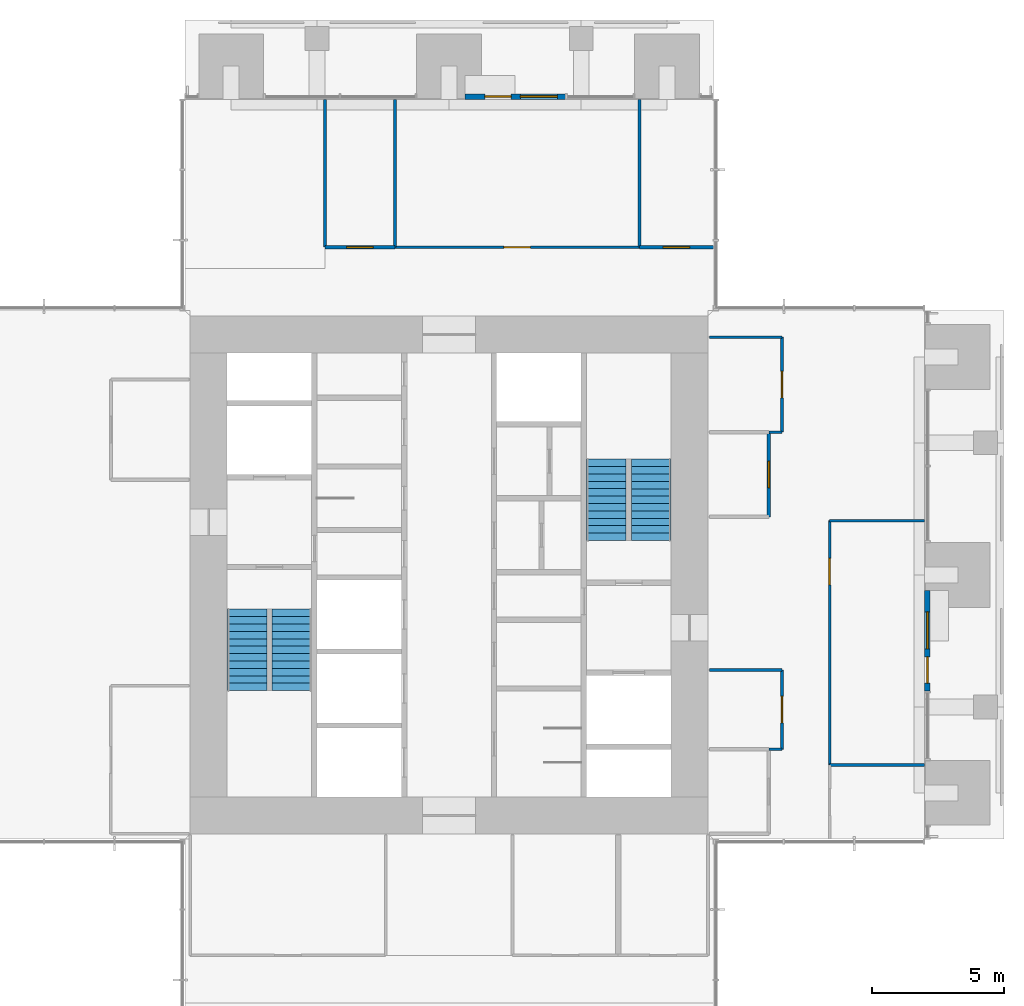
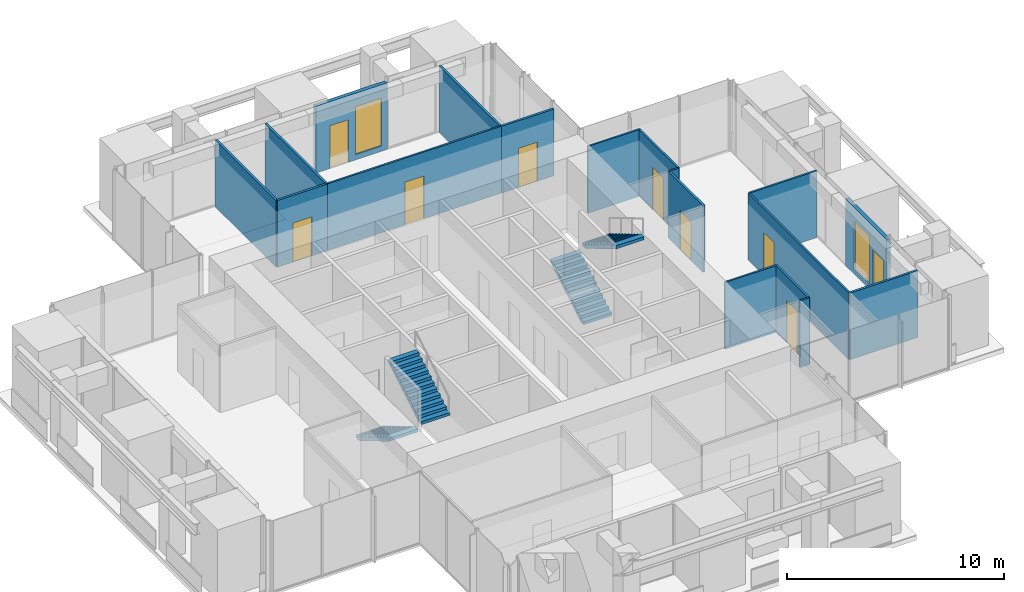
# One storey, part 14 of 17: 18 walls, 9 doors, 4 stair flights, 2 windows, 11 openings, 2 elements without a shape of their own.
"""IFC4 building model written with IfcOpenShell, lengths in metres."""

from ifc_helpers import new_model, si_unit, direction, frame, frame_2d, origin, place, context, subcontext, project, spatial, polyline, rectangle, outline, extrude, material, layer, layer_set, type_object, element, fill, aggregate, save


model = new_model("IFC4")

# Units and contexts
model_context = context("Model", 3, precision=1e-05, world=origin(), true_north=direction((0.0, 1.0)))
body_context = subcontext(model_context, "Body", "Model", "MODEL_VIEW")
ifc_project = project(units=[si_unit("LENGTHUNIT", "METRE"), si_unit("AREAUNIT", "SQUARE_METRE"), si_unit("VOLUMEUNIT", "CUBIC_METRE"), si_unit("PLANEANGLEUNIT", "RADIAN"), si_unit("MASSUNIT", "GRAM", prefix="KILO")], contexts=[model_context])

# Site, building, storey
site_placement = place(None, origin())
site = spatial("IfcSite", under=ifc_project, at=site_placement, CompositionType="ELEMENT")
building_placement = place(site_placement, origin())
building = spatial("IfcBuilding", under=site, at=building_placement, Name="Svetlomir Tower", CompositionType="ELEMENT")
storey_placement = place(building_placement, frame((0.0, 0.0, 226.5)))
storey = spatial("IfcBuildingStorey", under=building, at=storey_placement, Name="L54", CompositionType="ELEMENT", Elevation=226.5)

# Wall, openings, door, window
ifc_material_1 = material(Name="Bronze anodised aluminium glazed screen", Category="aluminium")
ifc_layer_1 = layer(ifc_material_1, 0.199951171875)
ifc_layer_set_1 = layer_set([ifc_layer_1], Name="Bronze anodised aluminium glazed screen")
wall_type_1 = type_object("IfcWallType", Name="BALCONY SCREEN WALL 200", PredefinedType="USERDEFINED", material=ifc_layer_set_1)
wall_1_placement = place(storey_placement, frame((39.10009765625, 16.60009765625, 0.0), z_axis=(0.0, 0.0, 1.0), x_axis=(0.0, 1.0, 0.0)))
wall_1 = element("IfcWall", 1, at=wall_1_placement, inside=storey, type_object=wall_type_1, Name="Balcony screen E", ObjectType="GLAZED SCREEN", PredefinedType="USERDEFINED", context=body_context, shape_type="SweptSolid", body=[
    extrude(rectangle(XDim=3.7998046875, YDim=0.199951171875, at=frame_2d((1.89990234375, 0.0))), origin(), (0.0, 0.0, 1.0), 3.75),
])
opening_1_placement = place(wall_1_placement, frame((0.300048828125, 0.0, 0.0)))
opening_1 = element("IfcOpeningElement", 2, at=opening_1_placement, cuts=wall_1, Name="Opening BD", PredefinedType="OPENING", context=body_context, shape_type="SweptSolid", body=[
    extrude(rectangle(XDim=1.0, YDim=2.39990234375, at=frame_2d((0.5, 1.199951171875))), frame((0.0, 0.10986328125, 0.0), z_axis=(0.0, -1.0, 0.0), x_axis=(1.0, 0.0, 0.0)), (0.0, 0.0, 1.0), 0.219970703125),
])
opening_2_placement = place(wall_1_placement, frame((1.60009765625, 0.0, 0.300048828125)))
opening_2 = element("IfcOpeningElement", 3, at=opening_2_placement, cuts=wall_1, Name="Opening WS2", PredefinedType="OPENING", context=body_context, shape_type="SweptSolid", body=[
    extrude(rectangle(XDim=1.39990234375, YDim=2.699951171875, at=frame_2d((0.699951171875, 1.35009765625))), frame((0.0, 0.10986328125, 0.0), z_axis=(0.0, -1.0, 0.0), x_axis=(1.0, 0.0, 0.0)), (0.0, 0.0, 1.0), 0.219970703125),
])
ifc_material_2 = material(Name="Bronze anodised aluminium glazed door", Category="aluminium")
door_type_1 = type_object("IfcDoorType", Name="BALCONY DOOR BD 1000x2400", OperationType="SINGLE_SWING_LEFT", PredefinedType="DOOR", material=ifc_material_2)
door_1_placement = place(opening_1_placement, origin())
door_1 = element("IfcDoor", 4, at=door_1_placement, inside=storey, type_object=door_type_1, Name="Balcony screen E door", OperationType="SINGLE_SWING_LEFT", OverallHeight=2.39990234375, OverallWidth=1.0, PredefinedType="DOOR", context=body_context, shape_type="SweptSolid", body=[
    extrude(rectangle(XDim=1.0, YDim=2.39990234375, at=frame_2d((0.5, 1.199951171875))), frame((0.0, 0.02490234375, 0.0), z_axis=(0.0, -1.0, 0.0), x_axis=(1.0, 0.0, 0.0)), (0.0, 0.0, 1.0), 0.050048828125),
])
fill(opening_1, door_1)
ifc_material_3 = material(Name="Bronze anodised aluminium window", Category="aluminium")
window_type = type_object("IfcWindowType", Name="SCREEN WINDOW WS2 1400x2700", PartitioningType="SINGLE_PANEL", PredefinedType="WINDOW", material=ifc_material_3)
window_1_placement = place(opening_2_placement, origin())
window_1 = element("IfcWindow", 5, at=window_1_placement, inside=storey, type_object=window_type, Name="Balcony screen E window 1", OverallHeight=2.699951171875, OverallWidth=1.39990234375, PartitioningType="SINGLE_PANEL", PredefinedType="WINDOW", context=body_context, shape_type="SweptSolid", body=[
    extrude(rectangle(XDim=1.39990234375, YDim=2.699951171875, at=frame_2d((0.699951171875, 1.35009765625))), frame((0.0, 0.030029296875, 0.0), z_axis=(0.0, -1.0, 0.0), x_axis=(1.0, 0.0, 0.0)), (0.0, 0.0, 1.0), 0.06005859375),
])
fill(opening_2, window_1)

wall_2_placement = place(storey_placement, frame((25.39990234375, 39.10009765625, 0.0), z_axis=(0.0, 0.0, 1.0), x_axis=(-1.0, 0.0, 0.0)))
wall_2 = element("IfcWall", 6, at=wall_2_placement, inside=storey, type_object=wall_type_1, Name="Balcony screen N", ObjectType="GLAZED SCREEN", PredefinedType="USERDEFINED", context=body_context, shape_type="SweptSolid", body=[
    extrude(rectangle(XDim=3.7998046875, YDim=0.199951171875, at=frame_2d((1.89990234375, 0.0))), origin(), (0.0, 0.0, 1.0), 3.75),
])
opening_3_placement = place(wall_2_placement, frame((2.050048828125, 0.0, 0.0)))
opening_3 = element("IfcOpeningElement", 7, at=opening_3_placement, cuts=wall_2, Name="Opening BD", PredefinedType="OPENING", context=body_context, shape_type="SweptSolid", body=[
    extrude(rectangle(XDim=1.0, YDim=2.39990234375, at=frame_2d((0.5, 1.199951171875))), frame((0.0, 0.10986328125, 0.0), z_axis=(0.0, -1.0, 0.0), x_axis=(1.0, 0.0, 0.0)), (0.0, 0.0, 1.0), 0.219970703125),
])
opening_4_placement = place(wall_2_placement, frame((0.300048828125, 0.0, 0.300048828125)))
opening_4 = element("IfcOpeningElement", 8, at=opening_4_placement, cuts=wall_2, Name="Opening WS2", PredefinedType="OPENING", context=body_context, shape_type="SweptSolid", body=[
    extrude(rectangle(XDim=1.39990234375, YDim=2.699951171875, at=frame_2d((0.699951171875, 1.35009765625))), frame((0.0, 0.10986328125, 0.0), z_axis=(0.0, -1.0, 0.0), x_axis=(1.0, 0.0, 0.0)), (0.0, 0.0, 1.0), 0.219970703125),
])
door_2_placement = place(opening_3_placement, origin())
door_2 = element("IfcDoor", 9, at=door_2_placement, inside=storey, type_object=door_type_1, Name="Balcony screen N door", OperationType="SINGLE_SWING_LEFT", OverallHeight=2.39990234375, OverallWidth=1.0, PredefinedType="DOOR", context=body_context, shape_type="SweptSolid", body=[
    extrude(rectangle(XDim=1.0, YDim=2.39990234375, at=frame_2d((0.5, 1.199951171875))), frame((0.0, 0.02490234375, 0.0), z_axis=(0.0, -1.0, 0.0), x_axis=(1.0, 0.0, 0.0)), (0.0, 0.0, 1.0), 0.050048828125),
])
fill(opening_3, door_2)
window_2_placement = place(opening_4_placement, origin())
window_2 = element("IfcWindow", 10, at=window_2_placement, inside=storey, type_object=window_type, Name="Balcony screen N window 1", OverallHeight=2.699951171875, OverallWidth=1.39990234375, PartitioningType="SINGLE_PANEL", PredefinedType="WINDOW", context=body_context, shape_type="SweptSolid", body=[
    extrude(rectangle(XDim=1.39990234375, YDim=2.699951171875, at=frame_2d((0.699951171875, 1.35009765625))), frame((0.0, 0.030029296875, 0.0), z_axis=(0.0, -1.0, 0.0), x_axis=(1.0, 0.0, 0.0)), (0.0, 0.0, 1.0), 0.06005859375),
])
fill(opening_4, window_2)

# Wall, opening, door
ifc_material_4 = material(Name="Framed laminated glass partition", Category="glass")
ifc_layer_2 = layer(ifc_material_4, 0.10009765625)
ifc_layer_set_2 = layer_set([ifc_layer_2], Name="Framed laminated glass partition")
wall_type_2 = type_object("IfcWallType", Name="GLAZED PARTITION 100", PredefinedType="PARTITIONING", material=ifc_layer_set_2)
wall_3_placement = place(storey_placement, frame((18.949951171875, 33.39990234375, 0.0), z_axis=(0.0, 0.0, 1.0), x_axis=(1.0, 0.0, 0.0)))
wall_3 = element("IfcWall", 11, at=wall_3_placement, inside=storey, type_object=wall_type_2, Name="Glazed partition L54", PredefinedType="PARTITIONING", context=body_context, shape_type="SweptSolid", body=[
    extrude(rectangle(XDim=9.25, YDim=0.10009765625, at=frame_2d((4.625, 0.0))), origin(), (0.0, 0.0, 1.0), 3.75),
])
opening_5_placement = place(wall_3_placement, frame((4.125, 0.0, 0.0)))
opening_5 = element("IfcOpeningElement", 12, at=opening_5_placement, cuts=wall_3, Name="Opening DG", PredefinedType="OPENING", context=body_context, shape_type="SweptSolid", body=[
    extrude(rectangle(XDim=1.0, YDim=2.39990234375, at=frame_2d((0.5, 1.199951171875))), frame((0.0, 0.06005859375, 0.0), z_axis=(0.0, -1.0, 0.0), x_axis=(1.0, 0.0, 0.0)), (0.0, 0.0, 1.0), 0.1201171875),
])
ifc_material_5 = material(Name="Framed laminated glass door", Category="glass")
door_type_2 = type_object("IfcDoorType", Name="GLAZED DOOR DG 1000x2400", OperationType="SINGLE_SWING_LEFT", PredefinedType="DOOR", material=ifc_material_5)
door_3_placement = place(opening_5_placement, origin())
door_3 = element("IfcDoor", 13, at=door_3_placement, inside=storey, type_object=door_type_2, Name="Secretariat team room door L54", OperationType="SINGLE_SWING_RIGHT", OverallHeight=2.39990234375, OverallWidth=1.0, PredefinedType="DOOR", context=body_context, shape_type="SweptSolid", body=[
    extrude(rectangle(XDim=1.0, YDim=2.39990234375, at=frame_2d((0.5, 1.199951171875))), frame((0.0, 0.02490234375, 0.0), z_axis=(0.0, -1.0, 0.0), x_axis=(1.0, 0.0, 0.0)), (0.0, 0.0, 1.0), 0.050048828125),
])
fill(opening_5, door_3)

# Walls
for number, where, z_axis, x_axis, name in (
    (14, (30.85009765625, 17.39990234375, 0.0), (0.0, 0.0, 1.0), (1.0, 0.0, 0.0), "Glazed partition L54"),
    (15, (30.85009765625, 30.0, 0.0), (0.0, 0.0, 1.0), (1.0, 0.0, 0.0), "Glazed partition L54"),
):
    element("IfcWall", number, at=place(storey_placement, frame(where, z_axis=z_axis, x_axis=x_axis)), inside=storey, type_object=wall_type_2, Name=name, PredefinedType="PARTITIONING", context=body_context, shape_type="SweptSolid", body=[
        extrude(rectangle(XDim=2.75, YDim=0.10009765625, at=frame_2d((1.375, 0.0))), origin(), (0.0, 0.0, 1.0), 3.75),
    ])
for number, where, z_axis, x_axis, name in (
    (16, (33.10009765625, 14.39990234375, 0.0), (0.0, 0.0, 1.0), (1.0, 0.0, 0.0), "Glazed partition L54"),
    (17, (33.10009765625, 26.39990234375, 0.0), (0.0, 0.0, 1.0), (1.0, 0.0, 0.0), "Glazed partition L54"),
):
    element("IfcWall", number, at=place(storey_placement, frame(where, z_axis=z_axis, x_axis=x_axis)), inside=storey, type_object=wall_type_2, Name=name, PredefinedType="PARTITIONING", context=body_context, shape_type="SweptSolid", body=[
        extrude(rectangle(XDim=0.5, YDim=0.10009765625, at=frame_2d((0.25, 0.0))), origin(), (0.0, 0.0, 1.0), 3.75),
    ])

# Wall, opening, door
wall_4_placement = place(storey_placement, frame((33.60009765625, 14.39990234375, 0.0), z_axis=(0.0, 0.0, 1.0), x_axis=(0.0, 1.0, 0.0)))
wall_4 = element("IfcWall", 18, at=wall_4_placement, inside=storey, type_object=wall_type_2, Name="Glazed partition L54", PredefinedType="PARTITIONING", context=body_context, shape_type="SweptSolid", body=[
    extrude(rectangle(XDim=3.0, YDim=0.10009765625, at=frame_2d((1.5, 0.0))), origin(), (0.0, 0.0, 1.0), 3.75),
])
opening_6_placement = place(wall_4_placement, frame((1.0, 0.0, 0.0)))
opening_6 = element("IfcOpeningElement", 19, at=opening_6_placement, cuts=wall_4, Name="Opening DG", PredefinedType="OPENING", context=body_context, shape_type="SweptSolid", body=[
    extrude(rectangle(XDim=1.0, YDim=2.39990234375, at=frame_2d((0.5, 1.199951171875))), frame((0.0, 0.06005859375, 0.0), z_axis=(0.0, -1.0, 0.0), x_axis=(1.0, 0.0, 0.0)), (0.0, 0.0, 1.0), 0.1201171875),
])
door_4_placement = place(opening_6_placement, origin())
door_4 = element("IfcDoor", 20, at=door_4_placement, inside=storey, type_object=door_type_2, Name="Phone room door L54", OperationType="SINGLE_SWING_RIGHT", OverallHeight=2.39990234375, OverallWidth=1.0, PredefinedType="DOOR", context=body_context, shape_type="SweptSolid", body=[
    extrude(rectangle(XDim=1.0, YDim=2.39990234375, at=frame_2d((0.5, 1.199951171875))), frame((0.0, 0.02490234375, 0.0), z_axis=(0.0, -1.0, 0.0), x_axis=(1.0, 0.0, 0.0)), (0.0, 0.0, 1.0), 0.050048828125),
])
fill(opening_6, door_4)

wall_5_placement = place(storey_placement, frame((33.60009765625, 26.39990234375, 0.0), z_axis=(0.0, 0.0, 1.0), x_axis=(0.0, 1.0, 0.0)))
wall_5 = element("IfcWall", 21, at=wall_5_placement, inside=storey, type_object=wall_type_2, Name="Glazed partition L54", PredefinedType="PARTITIONING", context=body_context, shape_type="SweptSolid", body=[
    extrude(rectangle(XDim=3.60009765625, YDim=0.10009765625, at=frame_2d((1.800048828125, 0.0))), origin(), (0.0, 0.0, 1.0), 3.75),
])
opening_7_placement = place(wall_5_placement, frame((1.300048828125, 0.0, 0.0)))
opening_7 = element("IfcOpeningElement", 22, at=opening_7_placement, cuts=wall_5, Name="Opening DG", PredefinedType="OPENING", context=body_context, shape_type="SweptSolid", body=[
    extrude(rectangle(XDim=1.0, YDim=2.39990234375, at=frame_2d((0.5, 1.199951171875))), frame((0.0, 0.06005859375, 0.0), z_axis=(0.0, -1.0, 0.0), x_axis=(1.0, 0.0, 0.0)), (0.0, 0.0, 1.0), 0.1201171875),
])
door_5_placement = place(opening_7_placement, origin())
door_5 = element("IfcDoor", 23, at=door_5_placement, inside=storey, type_object=door_type_2, Name="Meeting room, 8 seats door L54", OperationType="SINGLE_SWING_RIGHT", OverallHeight=2.39990234375, OverallWidth=1.0, PredefinedType="DOOR", context=body_context, shape_type="SweptSolid", body=[
    extrude(rectangle(XDim=1.0, YDim=2.39990234375, at=frame_2d((0.5, 1.199951171875))), frame((0.0, 0.02490234375, 0.0), z_axis=(0.0, -1.0, 0.0), x_axis=(1.0, 0.0, 0.0)), (0.0, 0.0, 1.0), 0.050048828125),
])
fill(opening_7, door_5)

wall_6_placement = place(storey_placement, frame((35.39990234375, 13.800048828125, 0.0), z_axis=(0.0, 0.0, 1.0), x_axis=(0.0, 1.0, 0.0)))
wall_6 = element("IfcWall", 24, at=wall_6_placement, inside=storey, type_object=wall_type_2, Name="Glazed partition L54", PredefinedType="PARTITIONING", context=body_context, shape_type="SweptSolid", body=[
    extrude(rectangle(XDim=9.25, YDim=0.10009765625, at=frame_2d((4.625, 0.0))), origin(), (0.0, 0.0, 1.0), 3.75),
])
opening_8_placement = place(wall_6_placement, frame((6.824951171875, 0.0, 0.0)))
opening_8 = element("IfcOpeningElement", 25, at=opening_8_placement, cuts=wall_6, Name="Opening DG", PredefinedType="OPENING", context=body_context, shape_type="SweptSolid", body=[
    extrude(rectangle(XDim=1.0, YDim=2.39990234375, at=frame_2d((0.5, 1.199951171875))), frame((0.0, 0.06005859375, 0.0), z_axis=(0.0, -1.0, 0.0), x_axis=(1.0, 0.0, 0.0)), (0.0, 0.0, 1.0), 0.1201171875),
])
door_6_placement = place(opening_8_placement, origin())
door_6 = element("IfcDoor", 26, at=door_6_placement, inside=storey, type_object=door_type_2, Name="Loggia break-out and kitchenette door L54", OperationType="SINGLE_SWING_RIGHT", OverallHeight=2.39990234375, OverallWidth=1.0, PredefinedType="DOOR", context=body_context, shape_type="SweptSolid", body=[
    extrude(rectangle(XDim=1.0, YDim=2.39990234375, at=frame_2d((0.5, 1.199951171875))), frame((0.0, 0.02490234375, 0.0), z_axis=(0.0, -1.0, 0.0), x_axis=(1.0, 0.0, 0.0)), (0.0, 0.0, 1.0), 0.050048828125),
])
fill(opening_8, door_6)

# Walls
wall_7_placement = place(storey_placement, frame((35.39990234375, 23.050048828125, 0.0), z_axis=(0.0, 0.0, 1.0), x_axis=(1.0, 0.0, 0.0)))
element("IfcWall", 27, at=wall_7_placement, inside=storey, type_object=wall_type_2, Name="Glazed partition L54", PredefinedType="PARTITIONING", context=body_context, shape_type="SweptSolid", body=[
    extrude(rectangle(XDim=3.60009765625, YDim=0.10009765625, at=frame_2d((1.800048828125, 0.0))), origin(), (0.0, 0.0, 1.0), 3.75),
])
ifc_material_6 = material(Name="Gypsum board on steel studs", Category="steel")
ifc_layer_3 = layer(ifc_material_6, 0.1201171875)
ifc_layer_set_3 = layer_set([ifc_layer_3], Name="Gypsum board on steel studs")
wall_type_3 = type_object("IfcWallType", Name="PARTITION 120", PredefinedType="PARTITIONING", material=ifc_layer_set_3)
wall_8_placement = place(storey_placement, frame((16.300048828125, 33.39990234375, 0.0), z_axis=(0.0, 0.0, 1.0), x_axis=(0.0, 1.0, 0.0)))
element("IfcWall", 28, at=wall_8_placement, inside=storey, type_object=wall_type_3, Name="Partition L54", PredefinedType="PARTITIONING", context=body_context, shape_type="SweptSolid", body=[
    extrude(rectangle(XDim=5.60009765625, YDim=0.1201171875, at=frame_2d((2.800048828125, 0.0))), origin(), (0.0, 0.0, 1.0), 3.75),
])

# Wall, opening, door
wall_9_placement = place(storey_placement, frame((16.300048828125, 33.39990234375, 0.0), z_axis=(0.0, 0.0, 1.0), x_axis=(1.0, 0.0, 0.0)))
wall_9 = element("IfcWall", 29, at=wall_9_placement, inside=storey, type_object=wall_type_3, Name="Partition L54", PredefinedType="PARTITIONING", context=body_context, shape_type="SweptSolid", body=[
    extrude(rectangle(XDim=2.64990234375, YDim=0.1201171875, at=frame_2d((1.324951171875, 0.0))), origin(), (0.0, 0.0, 1.0), 3.75),
])
opening_9_placement = place(wall_9_placement, frame((0.824951171875, 0.0, 0.0)))
opening_9 = element("IfcOpeningElement", 30, at=opening_9_placement, cuts=wall_9, Name="Opening DR", PredefinedType="OPENING", context=body_context, shape_type="SweptSolid", body=[
    extrude(rectangle(XDim=1.0, YDim=2.199951171875, at=frame_2d((0.5, 1.10009765625))), frame((0.0, 0.070068359375, 0.0), z_axis=(0.0, -1.0, 0.0), x_axis=(1.0, 0.0, 0.0)), (0.0, 0.0, 1.0), 0.14013671875),
])
ifc_material_7 = material(Name="Timber door, glazed side light", Category="wood")
door_type_3 = type_object("IfcDoorType", Name="DOOR DR 1000x2200", OperationType="SINGLE_SWING_LEFT", PredefinedType="DOOR", material=ifc_material_7)
door_7_placement = place(opening_9_placement, origin())
door_7 = element("IfcDoor", 31, at=door_7_placement, inside=storey, type_object=door_type_3, Name="Company secretary office door L54", OperationType="SINGLE_SWING_LEFT", OverallHeight=2.199951171875, OverallWidth=1.0, PredefinedType="DOOR", context=body_context, shape_type="SweptSolid", body=[
    extrude(rectangle(XDim=1.0, YDim=2.199951171875, at=frame_2d((0.5, 1.10009765625))), frame((0.0, 0.02490234375, 0.0), z_axis=(0.0, -1.0, 0.0), x_axis=(1.0, 0.0, 0.0)), (0.0, 0.0, 1.0), 0.050048828125),
])
fill(opening_9, door_7)

# Walls
for number, where, z_axis, x_axis, name in (
    (32, (18.949951171875, 33.39990234375, 0.0), (0.0, 0.0, 1.0), (0.0, 1.0, 0.0), "Partition L54"),
    (33, (28.199951171875, 33.39990234375, 0.0), (0.0, 0.0, 1.0), (0.0, 1.0, 0.0), "Partition L54"),
):
    element("IfcWall", number, at=place(storey_placement, frame(where, z_axis=z_axis, x_axis=x_axis)), inside=storey, type_object=wall_type_3, Name=name, PredefinedType="PARTITIONING", context=body_context, shape_type="SweptSolid", body=[
        extrude(rectangle(XDim=5.60009765625, YDim=0.1201171875, at=frame_2d((2.800048828125, 0.0))), origin(), (0.0, 0.0, 1.0), 3.75),
    ])

# Wall, opening, door
wall_10_placement = place(storey_placement, frame((28.199951171875, 33.39990234375, 0.0), z_axis=(0.0, 0.0, 1.0), x_axis=(1.0, 0.0, 0.0)))
wall_10 = element("IfcWall", 34, at=wall_10_placement, inside=storey, type_object=wall_type_3, Name="Partition L54", PredefinedType="PARTITIONING", context=body_context, shape_type="SweptSolid", body=[
    extrude(rectangle(XDim=2.800048828125, YDim=0.1201171875, at=frame_2d((1.39990234375, 0.0))), origin(), (0.0, 0.0, 1.0), 3.75),
])
opening_10_placement = place(wall_10_placement, frame((0.89990234375, 0.0, 0.0)))
opening_10 = element("IfcOpeningElement", 35, at=opening_10_placement, cuts=wall_10, Name="Opening DR", PredefinedType="OPENING", context=body_context, shape_type="SweptSolid", body=[
    extrude(rectangle(XDim=1.0, YDim=2.199951171875, at=frame_2d((0.5, 1.10009765625))), frame((0.0, 0.070068359375, 0.0), z_axis=(0.0, -1.0, 0.0), x_axis=(1.0, 0.0, 0.0)), (0.0, 0.0, 1.0), 0.14013671875),
])
door_8_placement = place(opening_10_placement, origin())
door_8 = element("IfcDoor", 36, at=door_8_placement, inside=storey, type_object=door_type_3, Name="Chief of staff office door L54", OperationType="SINGLE_SWING_LEFT", OverallHeight=2.199951171875, OverallWidth=1.0, PredefinedType="DOOR", context=body_context, shape_type="SweptSolid", body=[
    extrude(rectangle(XDim=1.0, YDim=2.199951171875, at=frame_2d((0.5, 1.10009765625))), frame((0.0, 0.02490234375, 0.0), z_axis=(0.0, -1.0, 0.0), x_axis=(1.0, 0.0, 0.0)), (0.0, 0.0, 1.0), 0.050048828125),
])
fill(opening_10, door_8)

wall_11_placement = place(storey_placement, frame((33.10009765625, 23.199951171875, 0.0), z_axis=(0.0, 0.0, 1.0), x_axis=(0.0, 1.0, 0.0)))
wall_11 = element("IfcWall", 37, at=wall_11_placement, inside=storey, type_object=wall_type_3, Name="Partition L54", PredefinedType="PARTITIONING", context=body_context, shape_type="SweptSolid", body=[
    extrude(rectangle(XDim=3.199951171875, YDim=0.1201171875, at=frame_2d((1.60009765625, 0.0))), origin(), (0.0, 0.0, 1.0), 3.75),
])
opening_11_placement = place(wall_11_placement, frame((1.10009765625, 0.0, 0.0)))
opening_11 = element("IfcOpeningElement", 38, at=opening_11_placement, cuts=wall_11, Name="Opening DR", PredefinedType="OPENING", context=body_context, shape_type="SweptSolid", body=[
    extrude(rectangle(XDim=1.0, YDim=2.199951171875, at=frame_2d((0.5, 1.10009765625))), frame((0.0, 0.070068359375, 0.0), z_axis=(0.0, -1.0, 0.0), x_axis=(1.0, 0.0, 0.0)), (0.0, 0.0, 1.0), 0.14013671875),
])
door_9_placement = place(opening_11_placement, origin())
door_9 = element("IfcDoor", 39, at=door_9_placement, inside=storey, type_object=door_type_3, Name="Secure store door L54", OperationType="SINGLE_SWING_LEFT", OverallHeight=2.199951171875, OverallWidth=1.0, PredefinedType="DOOR", context=body_context, shape_type="SweptSolid", body=[
    extrude(rectangle(XDim=1.0, YDim=2.199951171875, at=frame_2d((0.5, 1.10009765625))), frame((0.0, 0.02490234375, 0.0), z_axis=(0.0, -1.0, 0.0), x_axis=(1.0, 0.0, 0.0)), (0.0, 0.0, 1.0), 0.050048828125),
])
fill(opening_11, door_9)

# Wall
wall_12_placement = place(storey_placement, frame((35.39990234375, 13.800048828125, 0.0), z_axis=(0.0, 0.0, 1.0), x_axis=(1.0, 0.0, 0.0)))
element("IfcWall", 40, at=wall_12_placement, inside=storey, type_object=wall_type_3, Name="Partition L54", PredefinedType="PARTITIONING", context=body_context, shape_type="SweptSolid", body=[
    extrude(rectangle(XDim=3.60009765625, YDim=0.1201171875, at=frame_2d((1.800048828125, 0.0))), origin(), (0.0, 0.0, 1.0), 3.75),
])

# Stair, stair flights
ifc_material_8 = material(Name="Concrete C60/75", Category="concrete")
stair_type = type_object("IfcStairType", Name="EXIT STAIR 3200 RISE 4000", PredefinedType="HALF_TURN_STAIR", material=ifc_material_8)
stair_1_placement = place(storey_placement, origin())
stair_1 = element("IfcStair", 41, at=stair_1_placement, inside=storey, type_object=stair_type, Name="Stair S1 L54 to L55", PredefinedType="HALF_TURN_STAIR")
ifc_material_9 = material(Name="Concrete C60/75", Category="concrete")
stair_flight_type = type_object("IfcStairFlightType", Name="STAIR FLIGHT 1500 OF 12 RISERS", PredefinedType="STRAIGHT", material=ifc_material_9)
stair_flight_1_placement = place(storey_placement, frame((13.35009765625, 19.699951171875, 0.0), z_axis=(0.0, 0.0, 1.0), x_axis=(0.0, -1.0, 0.0)))
stair_flight_1 = element("IfcStairFlight", 42, at=stair_flight_1_placement, type_object=stair_flight_type, Name="S1 flight 1", NumberOfRisers=12, NumberOfTreads=11, PredefinedType="STRAIGHT", RiserHeight=0.166666667, TreadLength=0.28, context=body_context, shape_type="SweptSolid", body=[
    extrude(outline(polyline([(0.0, 0.0), (0.0, 0.166748046875), (0.280029296875, 0.166748046875), (0.280029296875, 0.333251953125), (0.56005859375, 0.333251953125), (0.56005859375, 0.5), (0.840087890625, 0.5), (0.840087890625, 0.666748046875), (1.1201171875, 0.666748046875), (1.1201171875, 0.833251953125), (1.39990234375, 0.833251953125), (1.39990234375, 1.0), (1.679931640625, 1.0), (1.679931640625, 1.166748046875), (1.9599609375, 1.166748046875), (1.9599609375, 1.333251953125), (2.239990234375, 1.333251953125), (2.239990234375, 1.5), (2.52001953125, 1.5), (2.52001953125, 1.666748046875), (2.800048828125, 1.666748046875), (2.800048828125, 1.833251953125), (3.080078125, 1.833251953125), (3.080078125, 2.0), (3.080078125, 1.658935546875), (0.29296875, 0.0), (0.0, 0.0)])), frame((0.0, 0.75, 0.0), z_axis=(0.0, -1.0, 0.0), x_axis=(1.0, 0.0, 0.0)), (0.0, 0.0, 1.0), 1.5),
])
stair_flight_2_placement = place(storey_placement, frame((15.050048828125, 16.6201171875, 2.0), z_axis=(0.0, 0.0, 1.0), x_axis=(0.0, 1.0, 0.0)))
stair_flight_2 = element("IfcStairFlight", 43, at=stair_flight_2_placement, type_object=stair_flight_type, Name="S1 flight 2", NumberOfRisers=12, NumberOfTreads=11, PredefinedType="STRAIGHT", RiserHeight=0.166666667, TreadLength=0.28, context=body_context, shape_type="SweptSolid", body=[
    extrude(outline(polyline([(0.0, 0.0), (0.0, 0.166748046875), (0.280029296875, 0.166748046875), (0.280029296875, 0.333251953125), (0.56005859375, 0.333251953125), (0.56005859375, 0.5), (0.840087890625, 0.5), (0.840087890625, 0.666748046875), (1.1201171875, 0.666748046875), (1.1201171875, 0.833251953125), (1.39990234375, 0.833251953125), (1.39990234375, 1.0), (1.679931640625, 1.0), (1.679931640625, 1.166748046875), (1.9599609375, 1.166748046875), (1.9599609375, 1.333251953125), (2.239990234375, 1.333251953125), (2.239990234375, 1.5), (2.52001953125, 1.5), (2.52001953125, 1.666748046875), (2.800048828125, 1.666748046875), (2.800048828125, 1.833251953125), (3.080078125, 1.833251953125), (3.080078125, 2.0), (3.080078125, 1.658935546875), (0.29296875, 0.0), (0.0, 0.0)])), frame((0.0, 0.75, 0.0), z_axis=(0.0, -1.0, 0.0), x_axis=(1.0, 0.0, 0.0)), (0.0, 0.0, 1.0), 1.5),
])
aggregate(stair_1, [stair_flight_1, stair_flight_2])

stair_2_placement = place(storey_placement, origin())
stair_2 = element("IfcStair", 44, at=stair_2_placement, inside=storey, type_object=stair_type, Name="Stair S2 L54 to L55", PredefinedType="HALF_TURN_STAIR")
stair_flight_3_placement = place(storey_placement, frame((26.949951171875, 22.300048828125, 0.0), z_axis=(0.0, 0.0, 1.0), x_axis=(0.0, 1.0, 0.0)))
stair_flight_3 = element("IfcStairFlight", 45, at=stair_flight_3_placement, type_object=stair_flight_type, Name="S2 flight 1", NumberOfRisers=12, NumberOfTreads=11, PredefinedType="STRAIGHT", RiserHeight=0.166666667, TreadLength=0.28, context=body_context, shape_type="SweptSolid", body=[
    extrude(outline(polyline([(0.0, 0.0), (0.0, 0.166748046875), (0.280029296875, 0.166748046875), (0.280029296875, 0.333251953125), (0.56005859375, 0.333251953125), (0.56005859375, 0.5), (0.840087890625, 0.5), (0.840087890625, 0.666748046875), (1.1201171875, 0.666748046875), (1.1201171875, 0.833251953125), (1.39990234375, 0.833251953125), (1.39990234375, 1.0), (1.679931640625, 1.0), (1.679931640625, 1.166748046875), (1.9599609375, 1.166748046875), (1.9599609375, 1.333251953125), (2.239990234375, 1.333251953125), (2.239990234375, 1.5), (2.52001953125, 1.5), (2.52001953125, 1.666748046875), (2.800048828125, 1.666748046875), (2.800048828125, 1.833251953125), (3.080078125, 1.833251953125), (3.080078125, 2.0), (3.080078125, 1.658935546875), (0.29296875, 0.0), (0.0, 0.0)])), frame((0.0, 0.75, 0.0), z_axis=(0.0, -1.0, 0.0), x_axis=(1.0, 0.0, 0.0)), (0.0, 0.0, 1.0), 1.5),
])
stair_flight_4_placement = place(storey_placement, frame((28.64990234375, 25.3798828125, 2.0), z_axis=(0.0, 0.0, 1.0), x_axis=(0.0, -1.0, 0.0)))
stair_flight_4 = element("IfcStairFlight", 46, at=stair_flight_4_placement, type_object=stair_flight_type, Name="S2 flight 2", NumberOfRisers=12, NumberOfTreads=11, PredefinedType="STRAIGHT", RiserHeight=0.166666667, TreadLength=0.28, context=body_context, shape_type="SweptSolid", body=[
    extrude(outline(polyline([(0.0, 0.0), (0.0, 0.166748046875), (0.280029296875, 0.166748046875), (0.280029296875, 0.333251953125), (0.56005859375, 0.333251953125), (0.56005859375, 0.5), (0.840087890625, 0.5), (0.840087890625, 0.666748046875), (1.1201171875, 0.666748046875), (1.1201171875, 0.833251953125), (1.39990234375, 0.833251953125), (1.39990234375, 1.0), (1.679931640625, 1.0), (1.679931640625, 1.166748046875), (1.9599609375, 1.166748046875), (1.9599609375, 1.333251953125), (2.239990234375, 1.333251953125), (2.239990234375, 1.5), (2.52001953125, 1.5), (2.52001953125, 1.666748046875), (2.800048828125, 1.666748046875), (2.800048828125, 1.833251953125), (3.080078125, 1.833251953125), (3.080078125, 2.0), (3.080078125, 1.658935546875), (0.29296875, 0.0), (0.0, 0.0)])), frame((0.0, 0.75, 0.0), z_axis=(0.0, -1.0, 0.0), x_axis=(1.0, 0.0, 0.0)), (0.0, 0.0, 1.0), 1.5),
])
aggregate(stair_2, [stair_flight_3, stair_flight_4])

save(model, "model.ifc")
